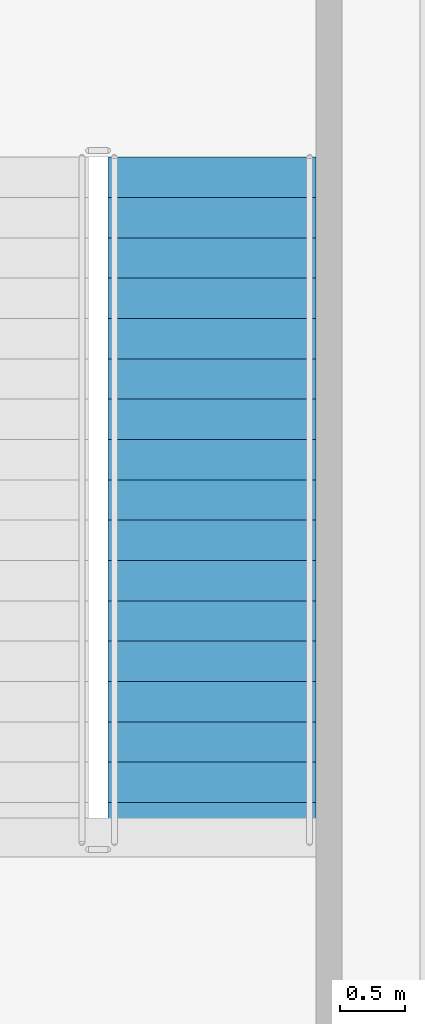
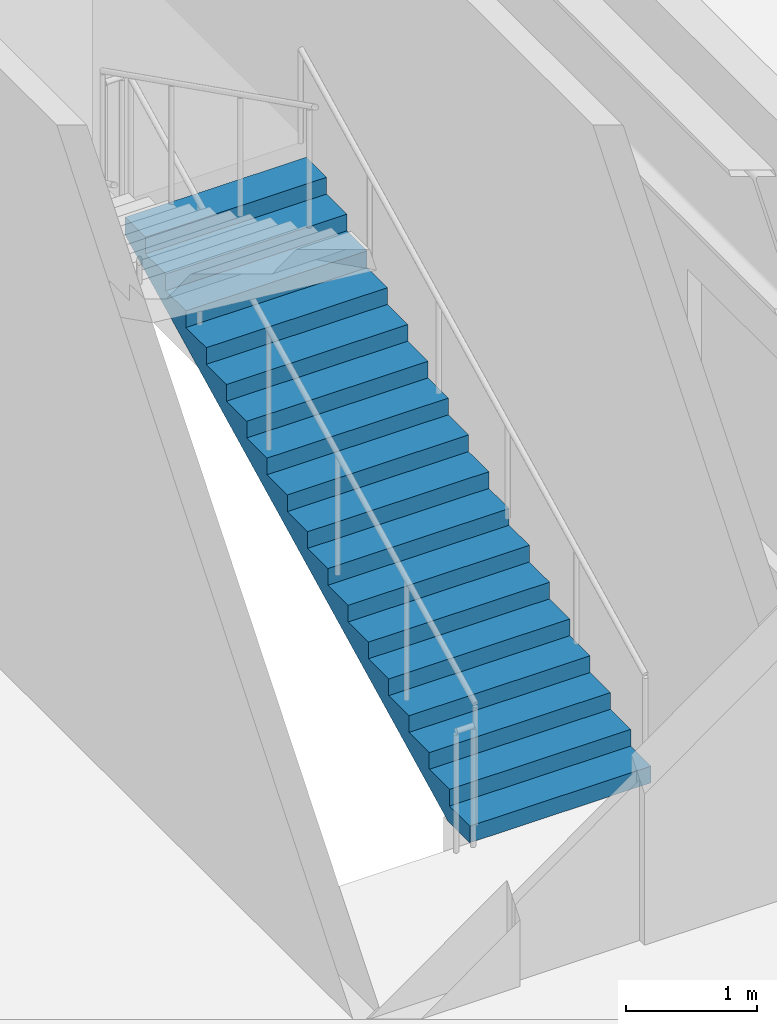
# One storey, part 12 of 20: 1 stair flight, 1 element without a shape of its own.
"""IFC4 building model written with IfcOpenShell, lengths in metres."""

import ifcopenshell
import ifcopenshell.guid

model = None  # the IFC model being written
_history = None  # IfcOwnerHistory: only IFC2X3 demands one
_inside = {}  # id of a spatial element -> (the spatial element, [elements in it])
_under = {}  # id of a project, library or spatial element -> (it, [spatial elements below it])
_declared = {}  # id of a project -> (the project, [libraries it declares])
_typed = {}  # id of a type object -> (the type object, [elements of that type])
_made_of = {}  # id of a material, layer set ... -> (it, [elements and type objects made of it])


def new_model(schema):
    """Start an empty IFC model of exactly this schema.

    Asked for "IFC4X3", IfcOpenShell would pick the latest addendum, in which some entities
    have other attributes; the version numbers below select the first issue.
    IFC2X3 requires an IfcOwnerHistory on every rooted entity: one is made here for all.
    """
    global model, _history
    if schema == "IFC4X3":
        model = ifcopenshell.file(schema_version=(4, 3, 0, 0))
    else:
        model = ifcopenshell.file(schema=schema)
    _inside.clear()
    _under.clear()
    _declared.clear()
    _typed.clear()
    _made_of.clear()
    _history = None
    if model.schema == "IFC2X3":
        org = make("IfcOrganization", Name="unknown")
        user = make(
            "IfcPersonAndOrganization",
            ThePerson=make("IfcPerson", FamilyName="unknown"),
            TheOrganization=org,
        )
        app = make(
            "IfcApplication",
            ApplicationDeveloper=org,
            Version="unknown",
            ApplicationFullName="unknown",
            ApplicationIdentifier="unknown",
        )
        _history = make(
            "IfcOwnerHistory",
            OwningUser=user,
            OwningApplication=app,
            ChangeAction="ADDED",
            CreationDate=0,
        )
    return model


def make(cls, **values):
    """One entity of the class cls with the attributes given. An attribute that is None is left unset."""
    return model.create_entity(
        cls, **{name: value for name, value in values.items() if value is not None}
    )


def rooted(cls, **values):
    """An entity with a GlobalId (a new one), such as an element, a storey or a relation."""
    return make(cls, GlobalId=ifcopenshell.guid.new(), OwnerHistory=_history, **values)


def si_unit(unit_type, name, prefix=None):
    """IfcSIUnit, for example si_unit("LENGTHUNIT", "METRE", prefix="MILLI")."""
    return make("IfcSIUnit", UnitType=unit_type, Prefix=prefix, Name=name)


def assignment(units):
    """IfcUnitAssignment: the units of a project."""
    return None if units is None else make("IfcUnitAssignment", Units=units)


def point(xyz):
    """IfcCartesianPoint."""
    return None if xyz is None else make("IfcCartesianPoint", Coordinates=xyz)


def direction(xyz):
    """IfcDirection."""
    return None if xyz is None else make("IfcDirection", DirectionRatios=xyz)


def frame(location, z_axis=None, x_axis=None):
    """IfcAxis2Placement3D, a coordinate frame: its origin and axes. An axis left out is left unset."""
    return make(
        "IfcAxis2Placement3D",
        Location=point(location),
        Axis=direction(z_axis),
        RefDirection=direction(x_axis),
    )


def origin():
    """The frame at (0, 0, 0) with its axes left unset."""
    return frame((0.0, 0.0, 0.0))


def place(relative_to, where):
    """IfcLocalPlacement: puts the frame where relative to a parent placement (None: the world)."""
    return make(
        "IfcLocalPlacement", PlacementRelTo=relative_to, RelativePlacement=where
    )


def context(
    kind, dimensions, precision=None, world=None, true_north=None, identifier=None
):
    """IfcGeometricRepresentationContext, for example the 3D "Model" context."""
    return make(
        "IfcGeometricRepresentationContext",
        ContextIdentifier=identifier,
        ContextType=kind,
        CoordinateSpaceDimension=dimensions,
        Precision=precision,
        WorldCoordinateSystem=world,
        TrueNorth=true_north,
    )


def subcontext(parent, identifier, kind, view, scale=None):
    """IfcGeometricRepresentationSubContext, for example "Body" below "Model"."""
    return make(
        "IfcGeometricRepresentationSubContext",
        ContextIdentifier=identifier,
        ContextType=kind,
        ParentContext=parent,
        TargetScale=scale,
        TargetView=view,
    )


def project(units=None, contexts=None):
    """IfcProject with its units and contexts."""
    return rooted(
        "IfcProject",
        Name="project",
        RepresentationContexts=contexts,
        UnitsInContext=assignment(units),
    )


def spatial(cls, under=None, at=None, **own):
    """A site, building, storey or space (cls), placed at a placement, below another one or the project."""
    s = rooted(cls, ObjectPlacement=at, **own)
    if under is not None:
        _under.setdefault(under.id(), (under, []))[1].append(s)
    return s


def polyline(points):
    """IfcPolyline through the points."""
    return make("IfcPolyline", Points=[point(p) for p in points])


def outline(outer, holes=None, kind="AREA"):
    """IfcArbitraryClosedProfileDef: a profile drawn as a closed curve; with holes, ...WithVoids."""
    if holes is None:
        return make("IfcArbitraryClosedProfileDef", ProfileType=kind, OuterCurve=outer)
    return make(
        "IfcArbitraryProfileDefWithVoids",
        ProfileType=kind,
        OuterCurve=outer,
        InnerCurves=holes,
    )


def extrude(swept, where, along, depth):
    """IfcExtrudedAreaSolid: the profile swept, set in the frame where, extruded along a direction by depth."""
    return make(
        "IfcExtrudedAreaSolid",
        SweptArea=swept,
        Position=where,
        ExtrudedDirection=direction(along),
        Depth=depth,
    )


def shape(context_of_items, identifier, shape_type, items):
    """IfcShapeRepresentation: the items that make up one representation, for example the "Body"."""
    return make(
        "IfcShapeRepresentation",
        ContextOfItems=context_of_items,
        RepresentationIdentifier=identifier,
        RepresentationType=shape_type,
        Items=items,
    )


def material(Name=None, Category=None):
    """IfcMaterial."""
    return make("IfcMaterial", Name=Name, Category=Category)


def made_of(thing, what):
    """Note that an element or type object is made of a material, layer set ...; save() writes the relation."""
    if what is not None:
        _made_of.setdefault(what.id(), (what, []))[1].append(thing)
    return thing


def type_object(cls, material=None, **own):
    """A type object (cls), such as IfcWallType, which elements share."""
    return made_of(rooted(cls, **own), material)


def element(
    cls,
    number,
    at=None,
    inside=None,
    cuts=None,
    type_object=None,
    material=None,
    context=None,
    identifier="Body",
    shape_type=None,
    held_by="IfcProductDefinitionShape",
    body=None,
    shapes=None,
    **own,
):
    """One element of the class cls, such as IfcWall. Its Tag is "e" and its number.

    at: its placement. inside: the storey or other place that contains it. cuts: it is an
    opening in that element (IfcRelVoidsElement). A single representation is given by context,
    identifier, shape_type and body (its items); several are given by shapes. held_by: the class
    of the entity that holds the representations. save() writes the other relations.
    """
    e = rooted(cls, Tag="e%d" % number, ObjectPlacement=at, **own)
    if body is not None:
        shapes = [shape(context, identifier, shape_type, body)]
    if shapes is not None:
        e.Representation = make(held_by, Representations=shapes)
    if inside is not None:
        _inside.setdefault(inside.id(), (inside, []))[1].append(e)
    if cuts is not None:
        rooted(
            "IfcRelVoidsElement", RelatingBuildingElement=cuts, RelatedOpeningElement=e
        )
    if type_object is not None:
        _typed.setdefault(type_object.id(), (type_object, []))[1].append(e)
    return made_of(e, material)


def aggregate(whole, parts):
    """IfcRelAggregates: a whole, such as a stair, and the parts it consists of."""
    return rooted("IfcRelAggregates", RelatingObject=whole, RelatedObjects=parts)


def save(model, path):
    """Write the relations noted so far, then the file.

    IfcRelAggregates (storeys below a building ...), IfcRelContainedInSpatialStructure (elements
    in a storey), IfcRelDefinesByType, IfcRelAssociatesMaterial and IfcRelDeclares: one each for
    every whole, place, type object, material and project.
    """
    for whole, parts in _under.values():
        aggregate(whole, parts)
    for where, things in _inside.values():
        rooted(
            "IfcRelContainedInSpatialStructure",
            RelatedElements=things,
            RelatingStructure=where,
        )
    for kind, things in _typed.values():
        rooted("IfcRelDefinesByType", RelatedObjects=things, RelatingType=kind)
    for what, things in _made_of.values():
        rooted("IfcRelAssociatesMaterial", RelatedObjects=things, RelatingMaterial=what)
    for by, libraries in _declared.values():
        rooted("IfcRelDeclares", RelatingContext=by, RelatedDefinitions=libraries)
    model.write(path)


model = new_model("IFC4")

# Units and contexts
model_context = context("Model", 3, precision=1e-05, world=origin(), true_north=direction((0.0, 1.0)))
body_context = subcontext(model_context, "Body", "Model", "MODEL_VIEW")
ifc_project = project(units=[si_unit("LENGTHUNIT", "METRE"), si_unit("AREAUNIT", "SQUARE_METRE"), si_unit("VOLUMEUNIT", "CUBIC_METRE"), si_unit("PLANEANGLEUNIT", "RADIAN"), si_unit("MASSUNIT", "GRAM", prefix="KILO")], contexts=[model_context])

# Site, building, storey
site_placement = place(None, origin())
site = spatial("IfcSite", under=ifc_project, at=site_placement, CompositionType="ELEMENT")
building_placement = place(site_placement, origin())
building = spatial("IfcBuilding", under=site, at=building_placement, Name="Vaeldorn Concourse Tower", CompositionType="ELEMENT")
storey_placement = place(building_placement, origin())
storey = spatial("IfcBuildingStorey", under=building, at=storey_placement, Name="L00", CompositionType="ELEMENT", Elevation=0.0)

# Stair, stair flight
ifc_material = material(Name="Precast concrete C40/50", Category="concrete")
stair_type = type_object("IfcStairType", Name="STR-DOG-36x156", PredefinedType="HALF_TURN_STAIR", material=ifc_material)
stair_placement = place(storey_placement, origin())
stair = element("IfcStair", 1, at=stair_placement, inside=storey, type_object=stair_type, Name="L00 Station East Exit Stair ST-4", PredefinedType="HALF_TURN_STAIR")
stair_flight_type = type_object("IfcStairFlightType", Name="STF-STR-18x156", PredefinedType="STRAIGHT", material=ifc_material)
stair_flight_placement = place(storey_placement, frame((65.449951171875, 38.449951171875, 0.0), z_axis=(0.0, 0.0, 1.0), x_axis=(0.0, 1.0, 0.0)))
stair_flight = element("IfcStairFlight", 2, at=stair_flight_placement, type_object=stair_flight_type, Name="ST-4 flight 1", NumberOfRisers=18, NumberOfTreads=17, PredefinedType="STRAIGHT", RiserHeight=0.155555556, TreadLength=0.31, context=body_context, shape_type="SweptSolid", body=[
    extrude(outline(polyline([(0.0, 0.0), (0.0, 0.155517578125), (0.31005859375, 0.155517578125), (0.31005859375, 0.31103515625), (0.6201171875, 0.31103515625), (0.6201171875, 0.466552734375), (0.929931640625, 0.466552734375), (0.929931640625, 0.622314453125), (1.239990234375, 0.622314453125), (1.239990234375, 0.77783203125), (1.550048828125, 0.77783203125), (1.550048828125, 0.933349609375), (1.860107421875, 0.933349609375), (1.860107421875, 1.0888671875), (2.169921875, 1.0888671875), (2.169921875, 1.244384765625), (2.47998046875, 1.244384765625), (2.47998046875, 1.39990234375), (2.7900390625, 1.39990234375), (2.7900390625, 1.5556640625), (3.10009765625, 1.5556640625), (3.10009765625, 1.711181640625), (3.409912109375, 1.711181640625), (3.409912109375, 1.86669921875), (3.719970703125, 1.86669921875), (3.719970703125, 2.022216796875), (4.030029296875, 2.022216796875), (4.030029296875, 2.177734375), (4.340087890625, 2.177734375), (4.340087890625, 2.333251953125), (4.64990234375, 2.333251953125), (4.64990234375, 2.48876953125), (4.9599609375, 2.48876953125), (4.9599609375, 2.64453125), (5.27001953125, 2.64453125), (5.27001953125, 2.800048828125), (5.27001953125, 2.476806640625), (0.334228515625, 0.0), (0.0, 0.0)])), frame((0.0, 0.800048828125, 0.0), z_axis=(0.0, -1.0, 0.0), x_axis=(1.0, 0.0, 0.0)), (0.0, 0.0, 1.0), 1.60009765625),
])
aggregate(stair, [stair_flight])

save(model, "model.ifc")
